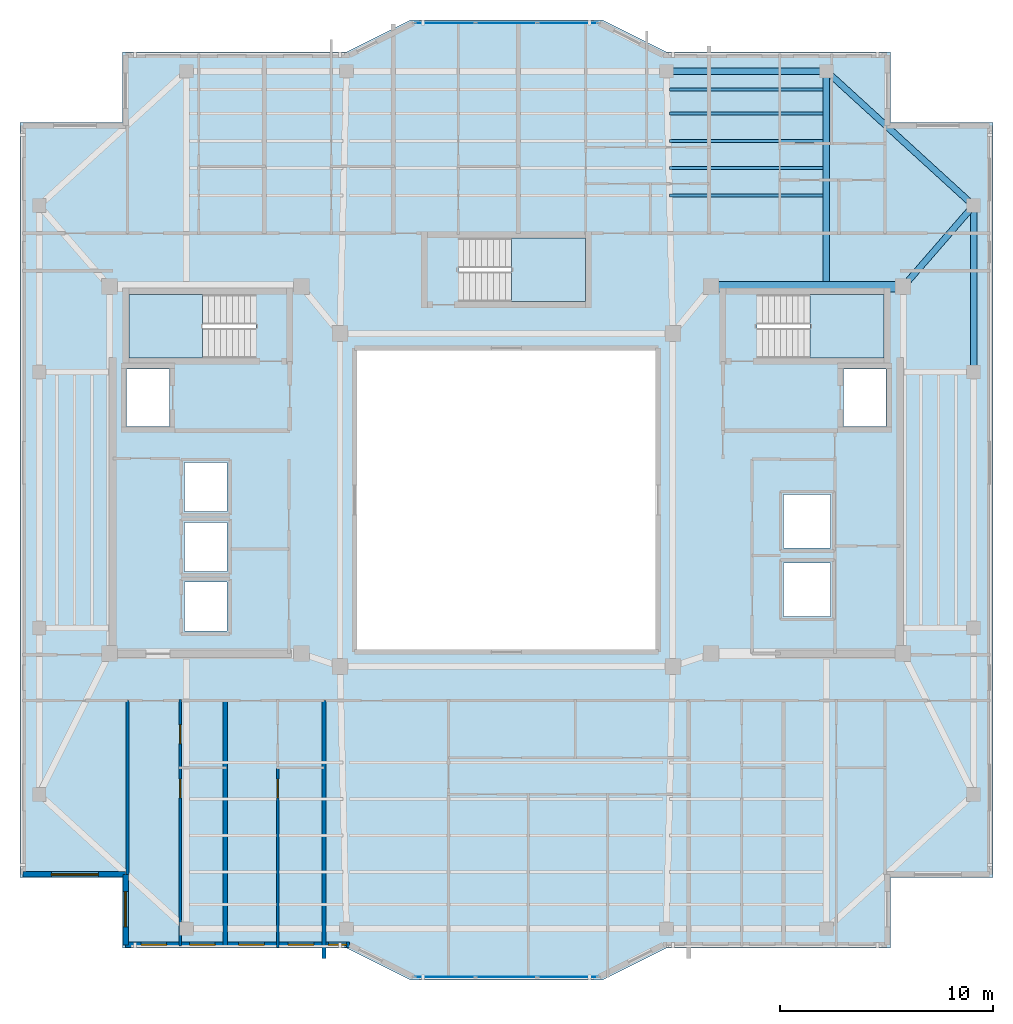
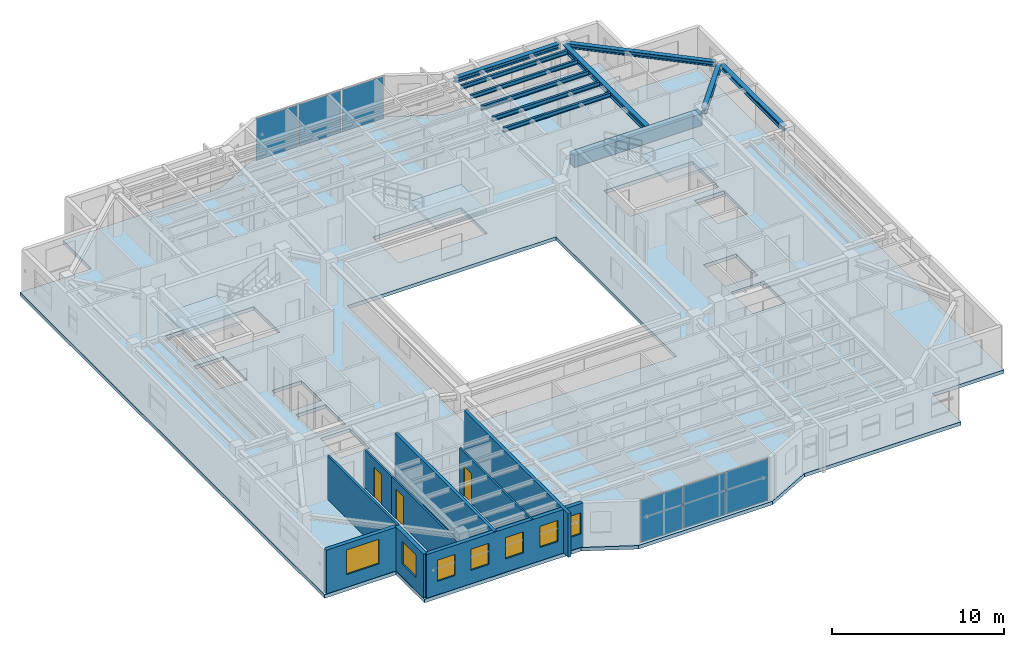
# One storey, part 5 of 14: 11 beams, 9 walls, 7 windows, 6 plates, 4 slabs, 3 doors, 10 openings, 5 elements without a shape of their own.
"""IFC4 building model written with IfcOpenShell, lengths in metres."""

from ifc_helpers import new_model, si_unit, direction, frame, frame_2d, origin, origin_2d, place, context, subcontext, project, spatial, polyline, rectangle, i_section, outline, extrude, material, layer, layer_set, material_profile, profile_set, type_object, element, fill, aggregate, save


model = new_model("IFC4")

# Units and contexts
model_context = context("Model", 3, precision=1e-05, world=origin(), true_north=direction((0.0, 1.0)))
body_context = subcontext(model_context, "Body", "Model", "MODEL_VIEW")
ifc_project = project(units=[si_unit("LENGTHUNIT", "METRE"), si_unit("AREAUNIT", "SQUARE_METRE"), si_unit("VOLUMEUNIT", "CUBIC_METRE"), si_unit("PLANEANGLEUNIT", "RADIAN"), si_unit("MASSUNIT", "GRAM", prefix="KILO")], contexts=[model_context])

# Site, building, storey
site_placement = place(None, origin())
site = spatial("IfcSite", under=ifc_project, at=site_placement, CompositionType="ELEMENT")
building_placement = place(site_placement, origin())
building = spatial("IfcBuilding", under=site, at=building_placement, Name="Tarnavaz Court Tower", CompositionType="ELEMENT")
storey_placement = place(building_placement, frame((0.0, 0.0, 261.60009765625)))
storey = spatial("IfcBuildingStorey", under=building, at=storey_placement, Name="L71", CompositionType="ELEMENT", Elevation=261.60009765625)

# Beams
ifc_material_1 = material(Name="Concrete C50/60", Category="concrete")
ifc_material_profile_1 = material_profile(ifc_material_1, rectangle(XDim=0.5, YDim=0.85009765625, at=origin_2d()), Name="RC 500X850")
ifc_profile_set_1 = profile_set([ifc_material_profile_1], Name="Concrete C50/60")
beam_type_1 = type_object("IfcBeamType", Name="BM-CB850", PredefinedType="LINTEL", material=ifc_profile_set_1)
beam_1_placement = place(storey_placement, frame((18.3798828125, 10.0, 2.6748046875), z_axis=(-1.0, 0.0, 0.0), x_axis=(0.0, -1.0, 0.0)))
element("IfcBeam", 1, at=beam_1_placement, inside=storey, type_object=beam_type_1, Name="L71 Beam IN-CE-NO-CE-NI", PredefinedType="LINTEL", context=body_context, shape_type="SweptSolid", body=[
    extrude(rectangle(XDim=0.5, YDim=0.85009765625, at=origin_2d()), origin(), (0.0, 0.0, 1.0), 8.559814453125),
])
ifc_material_2 = material(Name="Steel S355", Category="steel")
ifc_material_profile_2 = material_profile(ifc_material_2, i_section(OverallWidth=0.300048828125, OverallDepth=0.39990234375, WebThickness=0.013427734375, FlangeThickness=0.02392578125, FilletRadius=0.027099609375, at=origin_2d()), Name="HEB 400")
ifc_profile_set_2 = profile_set([ifc_material_profile_2], Name="Steel S355")
beam_type_2 = type_object("IfcBeamType", Name="BM-G-HEB400", PredefinedType="USERDEFINED", material=ifc_profile_set_2)
beam_2_placement = place(storey_placement, frame((15.0, 10.0400390625, 2.89990234375), z_axis=(0.0, 1.0, 0.0), x_axis=(-1.0, 0.0, 0.0)))
element("IfcBeam", 2, at=beam_2_placement, inside=storey, type_object=beam_type_2, Name="L71 Beam RG-04", ObjectType="GIRDER", PredefinedType="USERDEFINED", context=body_context, shape_type="SweptSolid", body=[
    extrude(i_section(OverallWidth=0.300048828125, OverallDepth=0.39990234375, WebThickness=0.013427734375, FlangeThickness=0.02392578125, FilletRadius=0.027099609375, at=origin_2d()), origin(), (0.0, 0.0, 1.0), 9.83984375),
])
beam_3_placement = place(storey_placement, frame((18.744384765625, 10.166015625, 2.89990234375), z_axis=(0.65565475567, 0.755060819648, 0.0), x_axis=(-0.755060819648, 0.65565475567, 0.0)))
element("IfcBeam", 3, at=beam_3_placement, inside=storey, type_object=beam_type_2, Name="L71 Beam RG-12", ObjectType="GIRDER", PredefinedType="USERDEFINED", context=body_context, shape_type="SweptSolid", body=[
    extrude(i_section(OverallWidth=0.300048828125, OverallDepth=0.39990234375, WebThickness=0.013427734375, FlangeThickness=0.02392578125, FilletRadius=0.027099609375, at=origin_2d()), origin(), (0.0, 0.0, 1.0), 4.5927734375),
])
ifc_material_profile_3 = material_profile(ifc_material_2, i_section(OverallWidth=0.14990234375, OverallDepth=0.300048828125, WebThickness=0.007080078125, FlangeThickness=0.0107421875, FilletRadius=0.014892578125, at=origin_2d()), Name="IPE 300")
ifc_profile_set_3 = profile_set([ifc_material_profile_3], Name="Steel S355")
beam_type_3 = type_object("IfcBeamType", Name="BM-J-IPE300", PredefinedType="JOIST", material=ifc_profile_set_3)
for number, where, z_axis, x_axis, name in (
    (4, (7.64990234375, 14.278076171875, 2.949951171875), (1.0, 0.0, 0.0), (0.0, 1.0, 0.0), "L71 Beam JN1-3"),
    (5, (7.64990234375, 15.555908203125, 2.949951171875), (1.0, 0.0, 0.0), (0.0, 1.0, 0.0), "L71 Beam JN2-3"),
    (6, (7.64990234375, 16.833984375, 2.949951171875), (1.0, 0.0, 0.0), (0.0, 1.0, 0.0), "L71 Beam JN3-3"),
    (7, (7.64990234375, 18.112060546875, 2.949951171875), (1.0, 0.0, 0.0), (0.0, 1.0, 0.0), "L71 Beam JN4-3"),
    (8, (7.64990234375, 19.248046875, 2.949951171875), (1.0, 0.0, 0.0), (0.0, 1.0, 0.0), "L71 Beam JN5-3"),
):
    element("IfcBeam", number, at=place(storey_placement, frame(where, z_axis=z_axis, x_axis=x_axis)), inside=storey, type_object=beam_type_3, Name=name, PredefinedType="JOIST", context=body_context, shape_type="SweptSolid", body=[
        extrude(i_section(OverallWidth=0.14990234375, OverallDepth=0.300048828125, WebThickness=0.007080078125, FlangeThickness=0.0107421875, FilletRadius=0.014892578125, at=origin_2d()), origin(), (0.0, 0.0, 1.0), 7.2001953125),
    ])
ifc_material_profile_4 = material_profile(ifc_material_2, i_section(OverallWidth=0.300048828125, OverallDepth=0.330078125, WebThickness=0.009521484375, FlangeThickness=0.0166015625, FilletRadius=0.027099609375, at=origin_2d()), Name="HEA 340")
ifc_profile_set_4 = profile_set([ifc_material_profile_4], Name="Steel S355")
beam_type_4 = type_object("IfcBeamType", Name="BM-SP-HEA340", PredefinedType="BEAM", material=ifc_profile_set_4)
beam_4_placement = place(storey_placement, frame((7.719970703125, 20.10009765625, 2.934814453125), z_axis=(1.0, 0.0, 0.0), x_axis=(0.0, 1.0, 0.0)))
element("IfcBeam", 9, at=beam_4_placement, inside=storey, type_object=beam_type_4, Name="L71 Beam PR-PN-3-PN-4", PredefinedType="BEAM", context=body_context, shape_type="SweptSolid", body=[
    extrude(i_section(OverallWidth=0.300048828125, OverallDepth=0.330078125, WebThickness=0.009521484375, FlangeThickness=0.0166015625, FilletRadius=0.027099609375, at=origin_2d()), origin(), (0.0, 0.0, 1.0), 7.06005859375),
])
beam_5_placement = place(storey_placement, frame((21.89990234375, 6.219970703125, 2.934814453125), z_axis=(0.0, 1.0, 0.0), x_axis=(-1.0, 0.0, 0.0)))
element("IfcBeam", 10, at=beam_5_placement, inside=storey, type_object=beam_type_4, Name="L71 Beam PR-PE-3-PE-4", PredefinedType="BEAM", context=body_context, shape_type="SweptSolid", body=[
    extrude(i_section(OverallWidth=0.300048828125, OverallDepth=0.330078125, WebThickness=0.009521484375, FlangeThickness=0.0166015625, FilletRadius=0.027099609375, at=origin_2d()), origin(), (0.0, 0.0, 1.0), 7.360107421875),
])
beam_6_placement = place(storey_placement, frame((15.16259765625, 19.95166015625, 2.934814453125), z_axis=(0.738474214476, -0.674281717499, 0.0), x_axis=(0.674281717499, 0.738474214476, 0.0)))
element("IfcBeam", 11, at=beam_6_placement, inside=storey, type_object=beam_type_4, Name="L71 Beam PR-PN-4-PE-4", PredefinedType="BEAM", context=body_context, shape_type="SweptSolid", body=[
    extrude(i_section(OverallWidth=0.300048828125, OverallDepth=0.330078125, WebThickness=0.009521484375, FlangeThickness=0.0166015625, FilletRadius=0.027099609375, at=origin_2d()), origin(), (0.0, 0.0, 1.0), 8.9033203125),
])

# Curtain wall, plates
ifc_material_3 = material(Name="Anodised Aluminium 6063-T6 and Solar Low-E Glazing", Category="aluminium")
ifc_layer_1 = layer(ifc_material_3, 0.159912109375)
ifc_layer_set_1 = layer_set([ifc_layer_1], Name="Anodised Aluminium 6063-T6 and Solar Low-E Glazing")
curtain_wall_type = type_object("IfcCurtainWallType", Name="CW-SYS-03", PredefinedType="NOTDEFINED", material=ifc_layer_set_1)
curtain_wall_1_placement = place(storey_placement, origin())
curtain_wall_1 = element("IfcCurtainWall", 12, at=curtain_wall_1_placement, inside=storey, type_object=curtain_wall_type, Name="L71 Iwan Prow Curtain Wall 7", PredefinedType="NOTDEFINED")
ifc_material_4 = material(Name="Double-Glazed Solar Low-E Glass", Category="glass")
ifc_layer_2 = layer(ifc_material_4, 0.028076171875)
ifc_layer_set_2 = layer_set([ifc_layer_2], Name="Double-Glazed Solar Low-E Glass")
plate_type = type_object("IfcPlateType", Name="CW-PAN-GLZ28", PredefinedType="CURTAIN_PANEL", material=ifc_layer_set_2)
plate_1_placement = place(storey_placement, frame((-2.88134765625, 22.35009765625, 0.06494140625), z_axis=(0.0, 0.0, 1.0), x_axis=(1.0, 0.0, 0.0)))
plate_1 = element("IfcPlate", 13, at=plate_1_placement, type_object=plate_type, Name="CW panel 1.1", PredefinedType="CURTAIN_PANEL", context=body_context, shape_type="SweptSolid", body=[
    extrude(rectangle(XDim=2.78759765625, YDim=0.028076171875, at=origin_2d()), origin(), (0.0, 0.0, 1.0), 2.969970703125),
])
plate_2_placement = place(storey_placement, frame((0.0, 22.35009765625, 0.06494140625), z_axis=(0.0, 0.0, 1.0), x_axis=(1.0, 0.0, 0.0)))
plate_2 = element("IfcPlate", 14, at=plate_2_placement, type_object=plate_type, Name="CW panel 2.1", PredefinedType="CURTAIN_PANEL", context=body_context, shape_type="SweptSolid", body=[
    extrude(rectangle(XDim=2.824951171875, YDim=0.028076171875, at=origin_2d()), origin(), (0.0, 0.0, 1.0), 2.969970703125),
])
plate_3_placement = place(storey_placement, frame((2.88134765625, 22.35009765625, 0.06494140625), z_axis=(0.0, 0.0, 1.0), x_axis=(1.0, 0.0, 0.0)))
plate_3 = element("IfcPlate", 15, at=plate_3_placement, type_object=plate_type, Name="CW panel 3.1", PredefinedType="CURTAIN_PANEL", context=body_context, shape_type="SweptSolid", body=[
    extrude(rectangle(XDim=2.78759765625, YDim=0.028076171875, at=origin_2d()), origin(), (0.0, 0.0, 1.0), 2.969970703125),
])
aggregate(curtain_wall_1, [plate_1, plate_2, plate_3])

curtain_wall_2_placement = place(storey_placement, origin())
curtain_wall_2 = element("IfcCurtainWall", 16, at=curtain_wall_2_placement, inside=storey, type_object=curtain_wall_type, Name="L71 Iwan Prow Curtain Wall 17", PredefinedType="NOTDEFINED")
plate_4_placement = place(storey_placement, frame((2.88134765625, -22.35009765625, 0.06494140625), z_axis=(0.0, 0.0, 1.0), x_axis=(-1.0, 0.0, 0.0)))
plate_4 = element("IfcPlate", 17, at=plate_4_placement, type_object=plate_type, Name="CW panel 1.1", PredefinedType="CURTAIN_PANEL", context=body_context, shape_type="SweptSolid", body=[
    extrude(rectangle(XDim=2.78759765625, YDim=0.028076171875, at=origin_2d()), origin(), (0.0, 0.0, 1.0), 2.969970703125),
])
plate_5_placement = place(storey_placement, frame((0.0, -22.35009765625, 0.06494140625), z_axis=(0.0, 0.0, 1.0), x_axis=(-1.0, 0.0, 0.0)))
plate_5 = element("IfcPlate", 18, at=plate_5_placement, type_object=plate_type, Name="CW panel 2.1", PredefinedType="CURTAIN_PANEL", context=body_context, shape_type="SweptSolid", body=[
    extrude(rectangle(XDim=2.824951171875, YDim=0.028076171875, at=origin_2d()), origin(), (0.0, 0.0, 1.0), 2.969970703125),
])
plate_6_placement = place(storey_placement, frame((-2.88134765625, -22.35009765625, 0.06494140625), z_axis=(0.0, 0.0, 1.0), x_axis=(-1.0, 0.0, 0.0)))
plate_6 = element("IfcPlate", 19, at=plate_6_placement, type_object=plate_type, Name="CW panel 3.1", PredefinedType="CURTAIN_PANEL", context=body_context, shape_type="SweptSolid", body=[
    extrude(rectangle(XDim=2.78759765625, YDim=0.028076171875, at=origin_2d()), origin(), (0.0, 0.0, 1.0), 2.969970703125),
])
aggregate(curtain_wall_2, [plate_4, plate_5, plate_6])

# Stair, slab
ifc_material_5 = material(Name="Concrete C40/50", Category="concrete")
stair_type = type_object("IfcStairType", Name="ST-TWR-20R", PredefinedType="HALF_TURN_STAIR", material=ifc_material_5)
stair_1_placement = place(storey_placement, origin())
stair_1 = element("IfcStair", 20, at=stair_1_placement, inside=storey, type_object=stair_type, Name="L71 West Core Pressurized Exit Stair ST-W1", PredefinedType="HALF_TURN_STAIR")
ifc_layer_3 = layer(ifc_material_5, 0.199951171875)
ifc_layer_set_3 = layer_set([ifc_layer_3], Name="Concrete C40/50")
slab_type_1 = type_object("IfcSlabType", Name="SL-LAND-200", PredefinedType="LANDING", material=ifc_layer_set_3)
slab_1_placement = place(storey_placement, frame((0.0, 0.0, 1.474853515625)))
slab_1 = element("IfcSlab", 21, at=slab_1_placement, type_object=slab_type_1, Name="ST-W1 landing 1", PredefinedType="LANDING", context=body_context, shape_type="SweptSolid", body=[
    extrude(outline(polyline([(-14.239990234375, 9.639892578125), (-17.699951171875, 9.639892578125), (-17.699951171875, 6.64990234375), (-14.239990234375, 6.64990234375), (-14.239990234375, 9.639892578125)])), origin(), (0.0, 0.0, 1.0), 0.199951171875),
])
aggregate(stair_1, [slab_1])

stair_2_placement = place(storey_placement, origin())
stair_2 = element("IfcStair", 22, at=stair_2_placement, inside=storey, type_object=stair_type, Name="L71 East Core Pressurized Exit Stair ST-E1", PredefinedType="HALF_TURN_STAIR")
slab_2_placement = place(storey_placement, frame((0.0, 0.0, 1.474853515625)))
slab_2 = element("IfcSlab", 23, at=slab_2_placement, type_object=slab_type_1, Name="ST-E1 landing 1", PredefinedType="LANDING", context=body_context, shape_type="SweptSolid", body=[
    extrude(outline(polyline([(14.239990234375, 6.64990234375), (17.699951171875, 6.64990234375), (17.699951171875, 9.639892578125), (14.239990234375, 9.639892578125), (14.239990234375, 6.64990234375)])), origin(), (0.0, 0.0, 1.0), 0.199951171875),
])
aggregate(stair_2, [slab_2])

stair_3_placement = place(storey_placement, origin())
stair_3 = element("IfcStair", 24, at=stair_3_placement, inside=storey, type_object=stair_type, Name="L71 North Ring Pressurized Exit Stair ST-N1", PredefinedType="HALF_TURN_STAIR")
slab_3_placement = place(storey_placement, frame((0.0, 0.0, 1.474853515625)))
slab_3 = element("IfcSlab", 25, at=slab_3_placement, type_object=slab_type_1, Name="ST-N1 landing 1", PredefinedType="LANDING", context=body_context, shape_type="SweptSolid", body=[
    extrude(outline(polyline([(0.239990234375, 9.300048828125), (3.699951171875, 9.300048828125), (3.699951171875, 12.2900390625), (0.239990234375, 12.2900390625), (0.239990234375, 9.300048828125)])), origin(), (0.0, 0.0, 1.0), 0.199951171875),
])
aggregate(stair_3, [slab_3])

# Slab
ifc_layer_4 = layer(ifc_material_5, 0.25)
ifc_layer_set_4 = layer_set([ifc_layer_4], Name="Concrete C40/50")
slab_type_2 = type_object("IfcSlabType", Name="SL-RES-250", PredefinedType="FLOOR", material=ifc_layer_set_4)
slab_4_placement = place(storey_placement, frame((0.0, 0.0, -0.25)))
element("IfcSlab", 26, at=slab_4_placement, inside=storey, type_object=slab_type_2, Name="L71 Structural Floor Slab", PredefinedType="FLOOR", context=body_context, shape_type="SweptSolid", body=[
    extrude(outline(polyline([(-18.0, -21.0), (-7.5, -21.0), (-4.5, -22.5), (4.5, -22.5), (7.5, -21.0), (18.0, -21.0), (18.0, -17.699951171875), (22.800048828125, -17.699951171875), (22.800048828125, 17.699951171875), (18.0, 17.699951171875), (18.0, 21.0), (7.5, 21.0), (4.5, 22.5), (-4.5, 22.5), (-7.5, 21.0), (-18.0, 21.0), (-18.0, 17.699951171875), (-22.800048828125, 17.699951171875), (-22.800048828125, -17.699951171875), (-18.0, -17.699951171875), (-18.0, -21.0)]), holes=[polyline([(-7.0, -7.0), (7.0, -7.0), (7.0, 7.0), (-7.0, 7.0), (-7.0, -7.0)]), polyline([(-11.7451171875, 9.639892578125), (-17.699951171875, 9.639892578125), (-17.699951171875, 6.64990234375), (-11.7451171875, 6.64990234375), (-11.7451171875, 9.639892578125)]), polyline([(11.7451171875, 6.64990234375), (17.699951171875, 6.64990234375), (17.699951171875, 9.639892578125), (11.7451171875, 9.639892578125), (11.7451171875, 6.64990234375)]), polyline([(-2.2548828125, 9.300048828125), (3.699951171875, 9.300048828125), (3.699951171875, 12.2900390625), (-2.2548828125, 12.2900390625), (-2.2548828125, 9.300048828125)]), polyline([(-17.800048828125, 3.449951171875), (-15.800048828125, 3.449951171875), (-15.800048828125, 6.14990234375), (-17.800048828125, 6.14990234375), (-17.800048828125, 3.449951171875)]), polyline([(-15.10009765625, -6.14990234375), (-13.10009765625, -6.14990234375), (-13.10009765625, -3.85009765625), (-15.10009765625, -3.85009765625), (-15.10009765625, -6.14990234375)]), polyline([(-15.10009765625, -3.35009765625), (-13.10009765625, -3.35009765625), (-13.10009765625, -1.050048828125), (-15.10009765625, -1.050048828125), (-15.10009765625, -3.35009765625)]), polyline([(-15.10009765625, -0.550048828125), (-13.10009765625, -0.550048828125), (-13.10009765625, 1.75), (-15.10009765625, 1.75), (-15.10009765625, -0.550048828125)]), polyline([(15.800048828125, 3.449951171875), (17.800048828125, 3.449951171875), (17.800048828125, 6.14990234375), (15.800048828125, 6.14990234375), (15.800048828125, 3.449951171875)]), polyline([(13.0, -5.449951171875), (15.199951171875, -5.449951171875), (15.199951171875, -2.949951171875), (13.0, -2.949951171875), (13.0, -5.449951171875)]), polyline([(13.0, -2.25), (15.199951171875, -2.25), (15.199951171875, 0.25), (13.0, 0.25), (13.0, -2.25)])]), origin(), (0.0, 0.0, 1.0), 0.25),
])

# Wall, opening, window
ifc_material_6 = material(Name="Precast Concrete C40/50", Category="concrete")
ifc_layer_5 = layer(ifc_material_6, 0.260009765625)
ifc_layer_set_5 = layer_set([ifc_layer_5], Name="Precast Concrete C40/50")
wall_type_1 = type_object("IfcWallType", Name="WL-EXT-260", PredefinedType="SOLIDWALL", material=ifc_layer_set_5)
wall_1_placement = place(storey_placement, frame((-17.85009765625, -17.550048828125, 0.0), z_axis=(0.0, 0.0, 1.0), x_axis=(-1.0, 0.0, 0.0)))
wall_1 = element("IfcWall", 27, at=wall_1_placement, inside=storey, type_object=wall_type_1, Name="L71 Exterior Terracotta Facade Wall 01", PredefinedType="SOLIDWALL", context=body_context, shape_type="SweptSolid", body=[
    extrude(rectangle(XDim=4.7998046875, YDim=0.260009765625, at=frame_2d((2.39990234375, 0.0))), origin(), (0.0, 0.0, 1.0), 3.099853515625),
])
opening_1_placement = place(wall_1_placement, frame((1.274658203125, 0.0, 0.89990234375)))
opening_1 = element("IfcOpeningElement", 28, at=opening_1_placement, cuts=wall_1, Name="Opening W07", PredefinedType="OPENING", context=body_context, shape_type="SweptSolid", body=[
    extrude(rectangle(XDim=2.199951171875, YDim=1.75, at=frame_2d((1.10009765625, 0.875))), frame((0.0, 0.139892578125, 0.0), z_axis=(0.0, -1.0, 0.0), x_axis=(1.0, 0.0, 0.0)), (0.0, 0.0, 1.0), 0.280029296875),
])
window_type_1 = type_object("IfcWindowType", Name="WN-APT-2200", PartitioningType="TRIPLE_PANEL_VERTICAL", PredefinedType="WINDOW", material=ifc_material_4)
window_1_placement = place(opening_1_placement, origin())
window_1 = element("IfcWindow", 29, at=window_1_placement, inside=storey, type_object=window_type_1, Name="L71 South-West Corner Reading Room Window", OverallHeight=1.75, OverallWidth=2.199951171875, PartitioningType="SINGLE_PANEL", PredefinedType="WINDOW", context=body_context, shape_type="SweptSolid", body=[
    extrude(rectangle(XDim=2.199951171875, YDim=1.75, at=frame_2d((1.10009765625, 0.875))), frame((0.0, 0.030029296875, 0.0), z_axis=(0.0, -1.0, 0.0), x_axis=(1.0, 0.0, 0.0)), (0.0, 0.0, 1.0), 0.06005859375),
])
fill(opening_1, window_1)

# Wall, openings, windows
wall_2_placement = place(storey_placement, frame((-7.35009765625, -20.85009765625, 0.0), z_axis=(0.0, 0.0, 1.0), x_axis=(-1.0, 0.0, 0.0)))
wall_2 = element("IfcWall", 30, at=wall_2_placement, inside=storey, type_object=wall_type_1, Name="L71 Exterior Terracotta Facade Wall 19", PredefinedType="SOLIDWALL", context=body_context, shape_type="SweptSolid", body=[
    extrude(rectangle(XDim=10.5, YDim=0.260009765625, at=frame_2d((5.25, 0.0))), origin(), (0.0, 0.0, 1.0), 3.099853515625),
])
opening_2_placement = place(wall_2_placement, frame((0.14501953125, 0.0, 0.949951171875)))
opening_2 = element("IfcOpeningElement", 31, at=opening_2_placement, cuts=wall_2, Name="Opening W15", PredefinedType="OPENING", context=body_context, shape_type="SweptSolid", body=[
    extrude(rectangle(XDim=0.85009765625, YDim=1.5, at=frame_2d((0.425048828125, 0.75))), frame((0.0, 0.139892578125, 0.0), z_axis=(0.0, -1.0, 0.0), x_axis=(1.0, 0.0, 0.0)), (0.0, 0.0, 1.0), 0.280029296875),
])
opening_3_placement = place(wall_2_placement, frame((1.677490234375, 0.0, 0.949951171875)))
opening_3 = element("IfcOpeningElement", 32, at=opening_3_placement, cuts=wall_2, Name="Opening W05", PredefinedType="OPENING", context=body_context, shape_type="SweptSolid", body=[
    extrude(rectangle(XDim=1.199951171875, YDim=1.5, at=frame_2d((0.60009765625, 0.75))), frame((0.0, 0.139892578125, 0.0), z_axis=(0.0, -1.0, 0.0), x_axis=(1.0, 0.0, 0.0)), (0.0, 0.0, 1.0), 0.280029296875),
])
opening_4_placement = place(wall_2_placement, frame((4.0, 0.0, 0.949951171875)))
opening_4 = element("IfcOpeningElement", 33, at=opening_4_placement, cuts=wall_2, Name="Opening W05", PredefinedType="OPENING", context=body_context, shape_type="SweptSolid", body=[
    extrude(rectangle(XDim=1.199951171875, YDim=1.5, at=frame_2d((0.60009765625, 0.75))), frame((0.0, 0.139892578125, 0.0), z_axis=(0.0, -1.0, 0.0), x_axis=(1.0, 0.0, 0.0)), (0.0, 0.0, 1.0), 0.280029296875),
])
opening_5_placement = place(wall_2_placement, frame((6.302490234375, 0.0, 0.949951171875)))
opening_5 = element("IfcOpeningElement", 34, at=opening_5_placement, cuts=wall_2, Name="Opening W05", PredefinedType="OPENING", context=body_context, shape_type="SweptSolid", body=[
    extrude(rectangle(XDim=1.199951171875, YDim=1.5, at=frame_2d((0.60009765625, 0.75))), frame((0.0, 0.139892578125, 0.0), z_axis=(0.0, -1.0, 0.0), x_axis=(1.0, 0.0, 0.0)), (0.0, 0.0, 1.0), 0.280029296875),
])
opening_6_placement = place(wall_2_placement, frame((8.574951171875, 0.0, 0.949951171875)))
opening_6 = element("IfcOpeningElement", 35, at=opening_6_placement, cuts=wall_2, Name="Opening W05", PredefinedType="OPENING", context=body_context, shape_type="SweptSolid", body=[
    extrude(rectangle(XDim=1.199951171875, YDim=1.5, at=frame_2d((0.60009765625, 0.75))), frame((0.0, 0.139892578125, 0.0), z_axis=(0.0, -1.0, 0.0), x_axis=(1.0, 0.0, 0.0)), (0.0, 0.0, 1.0), 0.280029296875),
])
window_type_2 = type_object("IfcWindowType", Name="WN-APT-1200", PartitioningType="SINGLE_PANEL", PredefinedType="WINDOW", material=ifc_material_4)
window_2_placement = place(opening_3_placement, origin())
window_2 = element("IfcWindow", 36, at=window_2_placement, inside=storey, type_object=window_type_2, Name="L71 Flat 07 Kitchen Window", OverallHeight=1.5, OverallWidth=1.199951171875, PartitioningType="SINGLE_PANEL", PredefinedType="WINDOW", context=body_context, shape_type="SweptSolid", body=[
    extrude(rectangle(XDim=1.199951171875, YDim=1.5, at=frame_2d((0.60009765625, 0.75))), frame((0.0, 0.030029296875, 0.0), z_axis=(0.0, -1.0, 0.0), x_axis=(1.0, 0.0, 0.0)), (0.0, 0.0, 1.0), 0.06005859375),
])
fill(opening_3, window_2)
window_3_placement = place(opening_4_placement, origin())
window_3 = element("IfcWindow", 37, at=window_3_placement, inside=storey, type_object=window_type_2, Name="L71 Flat 07 Studio Living and Sleeping Room Window", OverallHeight=1.5, OverallWidth=1.199951171875, PartitioningType="SINGLE_PANEL", PredefinedType="WINDOW", context=body_context, shape_type="SweptSolid", body=[
    extrude(rectangle(XDim=1.199951171875, YDim=1.5, at=frame_2d((0.60009765625, 0.75))), frame((0.0, 0.030029296875, 0.0), z_axis=(0.0, -1.0, 0.0), x_axis=(1.0, 0.0, 0.0)), (0.0, 0.0, 1.0), 0.06005859375),
])
fill(opening_4, window_3)
window_4_placement = place(opening_5_placement, origin())
window_4 = element("IfcWindow", 38, at=window_4_placement, inside=storey, type_object=window_type_2, Name="L71 Flat 06 Kitchen Window", OverallHeight=1.5, OverallWidth=1.199951171875, PartitioningType="SINGLE_PANEL", PredefinedType="WINDOW", context=body_context, shape_type="SweptSolid", body=[
    extrude(rectangle(XDim=1.199951171875, YDim=1.5, at=frame_2d((0.60009765625, 0.75))), frame((0.0, 0.030029296875, 0.0), z_axis=(0.0, -1.0, 0.0), x_axis=(1.0, 0.0, 0.0)), (0.0, 0.0, 1.0), 0.06005859375),
])
fill(opening_5, window_4)
window_5_placement = place(opening_6_placement, origin())
window_5 = element("IfcWindow", 39, at=window_5_placement, inside=storey, type_object=window_type_2, Name="L71 Flat 06 Studio Living and Sleeping Room Window", OverallHeight=1.5, OverallWidth=1.199951171875, PartitioningType="SINGLE_PANEL", PredefinedType="WINDOW", context=body_context, shape_type="SweptSolid", body=[
    extrude(rectangle(XDim=1.199951171875, YDim=1.5, at=frame_2d((0.60009765625, 0.75))), frame((0.0, 0.030029296875, 0.0), z_axis=(0.0, -1.0, 0.0), x_axis=(1.0, 0.0, 0.0)), (0.0, 0.0, 1.0), 0.06005859375),
])
fill(opening_6, window_5)
window_type_3 = type_object("IfcWindowType", Name="WN-APT-850", PartitioningType="SINGLE_PANEL", PredefinedType="WINDOW", material=ifc_material_4)
window_6_placement = place(opening_2_placement, origin())
window_6 = element("IfcWindow", 40, at=window_6_placement, inside=storey, type_object=window_type_3, Name="L71 Flat 10 Living and Dining Room Window", OverallHeight=1.5, OverallWidth=0.85009765625, PartitioningType="SINGLE_PANEL", PredefinedType="WINDOW", context=body_context, shape_type="SweptSolid", body=[
    extrude(rectangle(XDim=0.85009765625, YDim=1.5, at=frame_2d((0.425048828125, 0.75))), frame((0.0, 0.030029296875, 0.0), z_axis=(0.0, -1.0, 0.0), x_axis=(1.0, 0.0, 0.0)), (0.0, 0.0, 1.0), 0.06005859375),
])
fill(opening_2, window_6)

# Wall, opening, window
wall_3_placement = place(storey_placement, frame((-17.85009765625, -20.85009765625, 0.0), z_axis=(0.0, 0.0, 1.0), x_axis=(0.0, 1.0, 0.0)))
wall_3 = element("IfcWall", 41, at=wall_3_placement, inside=storey, type_object=wall_type_1, Name="L71 Exterior Terracotta Facade Wall 20", PredefinedType="SOLIDWALL", context=body_context, shape_type="SweptSolid", body=[
    extrude(rectangle(XDim=3.300048828125, YDim=0.260009765625, at=frame_2d((1.64990234375, 0.0))), origin(), (0.0, 0.0, 1.0), 3.099853515625),
])
opening_7_placement = place(wall_3_placement, frame((0.842529296875, 0.0, 0.89990234375)))
opening_7 = element("IfcOpeningElement", 42, at=opening_7_placement, cuts=wall_3, Name="Opening W02", PredefinedType="OPENING", context=body_context, shape_type="SweptSolid", body=[
    extrude(rectangle(XDim=1.64990234375, YDim=1.60009765625, at=frame_2d((0.824951171875, 0.800048828125))), frame((0.0, 0.139892578125, 0.0), z_axis=(0.0, -1.0, 0.0), x_axis=(1.0, 0.0, 0.0)), (0.0, 0.0, 1.0), 0.280029296875),
])
window_type_4 = type_object("IfcWindowType", Name="WN-APT-1650", PartitioningType="DOUBLE_PANEL_VERTICAL", PredefinedType="WINDOW", material=ifc_material_4)
window_7_placement = place(opening_7_placement, origin())
window_7 = element("IfcWindow", 43, at=window_7_placement, inside=storey, type_object=window_type_4, Name="L71 Flat 06 Studio Living and Sleeping Room Window", OverallHeight=1.60009765625, OverallWidth=1.64990234375, PartitioningType="SINGLE_PANEL", PredefinedType="WINDOW", context=body_context, shape_type="SweptSolid", body=[
    extrude(rectangle(XDim=1.64990234375, YDim=1.60009765625, at=frame_2d((0.824951171875, 0.800048828125))), frame((0.0, 0.030029296875, 0.0), z_axis=(0.0, -1.0, 0.0), x_axis=(1.0, 0.0, 0.0)), (0.0, 0.0, 1.0), 0.06005859375),
])
fill(opening_7, window_7)

# Walls
ifc_material_7 = material(Name="Autoclaved Aerated Concrete Blockwork", Category="masonry")
ifc_layer_6 = layer(ifc_material_7, 0.199951171875)
ifc_layer_set_6 = layer_set([ifc_layer_6], Name="Autoclaved Aerated Concrete Blockwork")
wall_type_2 = type_object("IfcWallType", Name="WL-FIRE-200", PredefinedType="SOLIDWALL", material=ifc_layer_set_6)
wall_4_placement = place(storey_placement, frame((-13.175048828125, -20.89990234375, 0.0), z_axis=(0.0, 0.0, 1.0), x_axis=(0.0, 1.0, 0.0)))
element("IfcWall", 44, at=wall_4_placement, inside=storey, type_object=wall_type_2, Name="L71 Party Wall 089", PredefinedType="SOLIDWALL", context=body_context, shape_type="SweptSolid", body=[
    extrude(rectangle(XDim=11.5, YDim=0.199951171875, at=frame_2d((5.75, 0.0))), origin(), (0.0, 0.0, 1.0), 3.099853515625),
])
wall_5_placement = place(storey_placement, frame((-8.550048828125, -21.50390625, 0.0), z_axis=(0.0, 0.0, 1.0), x_axis=(0.0, 1.0, 0.0)))
element("IfcWall", 45, at=wall_5_placement, inside=storey, type_object=wall_type_2, Name="L71 Party Wall 103", PredefinedType="SOLIDWALL", context=body_context, shape_type="SweptSolid", body=[
    extrude(rectangle(XDim=12.10400390625, YDim=0.199951171875, at=frame_2d((6.052001953125, 0.0))), origin(), (0.0, 0.0, 1.0), 3.099853515625),
])

# Wall, opening, door
ifc_material_8 = material(Name="Moisture-Resistant Gypsum Board Partition", Category="masonry")
ifc_layer_7 = layer(ifc_material_8, 0.1201171875)
ifc_layer_set_7 = layer_set([ifc_layer_7], Name="Moisture-Resistant Gypsum Board Partition")
wall_type_3 = type_object("IfcWallType", Name="WL-PART-120", PredefinedType="PARTITIONING", material=ifc_layer_set_7)
wall_6_placement = place(storey_placement, frame((-15.2900390625, -20.89990234375, 0.0), z_axis=(0.0, 0.0, 1.0), x_axis=(0.0, 1.0, 0.0)))
wall_6 = element("IfcWall", 46, at=wall_6_placement, inside=storey, type_object=wall_type_3, Name="L71 Interior Partition 090", PredefinedType="PARTITIONING", context=body_context, shape_type="SweptSolid", body=[
    extrude(rectangle(XDim=8.33984375, YDim=0.1201171875, at=frame_2d((4.169921875, 0.0))), origin(), (0.0, 0.0, 1.0), 2.684814453125),
])
opening_8_placement = place(wall_6_placement, frame((6.93994140625, 0.0, 0.0)))
opening_8 = element("IfcOpeningElement", 47, at=opening_8_placement, cuts=wall_6, Name="Opening D14", PredefinedType="OPENING", context=body_context, shape_type="SweptSolid", body=[
    extrude(rectangle(XDim=0.8798828125, YDim=2.10009765625, at=frame_2d((0.43994140625, 1.050048828125))), frame((0.0, 0.070068359375, 0.0), z_axis=(0.0, -1.0, 0.0), x_axis=(1.0, 0.0, 0.0)), (0.0, 0.0, 1.0), 0.14013671875),
])
ifc_material_9 = material(Name="Engineered Oak Timber", Category="wood")
door_type = type_object("IfcDoorType", Name="DR-INT-900", OperationType="NOTDEFINED", PredefinedType="DOOR", material=ifc_material_9)
door_1_placement = place(opening_8_placement, origin())
door_1 = element("IfcDoor", 48, at=door_1_placement, inside=storey, type_object=door_type, Name="L71 Flat 06 Kitchen Door", OperationType="SINGLE_SWING_RIGHT", OverallHeight=2.10009765625, OverallWidth=0.8798828125, PredefinedType="DOOR", context=body_context, shape_type="SweptSolid", body=[
    extrude(rectangle(XDim=0.8798828125, YDim=2.10009765625, at=frame_2d((0.43994140625, 1.050048828125))), frame((0.0, 0.02490234375, 0.0), z_axis=(0.0, -1.0, 0.0), x_axis=(1.0, 0.0, 0.0)), (0.0, 0.0, 1.0), 0.050048828125),
])
fill(opening_8, door_1)

wall_7_placement = place(storey_placement, frame((-15.2900390625, -12.56005859375, 0.0), z_axis=(0.0, 0.0, 1.0), x_axis=(0.0, 1.0, 0.0)))
wall_7 = element("IfcWall", 49, at=wall_7_placement, inside=storey, type_object=wall_type_3, Name="L71 Interior Partition 091", PredefinedType="PARTITIONING", context=body_context, shape_type="SweptSolid", body=[
    extrude(rectangle(XDim=3.219970703125, YDim=0.1201171875, at=frame_2d((1.60986328125, 0.0))), origin(), (0.0, 0.0, 1.0), 2.684814453125),
])
opening_9_placement = place(wall_7_placement, frame((1.139892578125, 0.0, 0.0)))
opening_9 = element("IfcOpeningElement", 50, at=opening_9_placement, cuts=wall_7, Name="Opening D14", PredefinedType="OPENING", context=body_context, shape_type="SweptSolid", body=[
    extrude(rectangle(XDim=0.8798828125, YDim=2.10009765625, at=frame_2d((0.43994140625, 1.050048828125))), frame((0.0, 0.070068359375, 0.0), z_axis=(0.0, -1.0, 0.0), x_axis=(1.0, 0.0, 0.0)), (0.0, 0.0, 1.0), 0.14013671875),
])
door_2_placement = place(opening_9_placement, origin())
door_2 = element("IfcDoor", 51, at=door_2_placement, inside=storey, type_object=door_type, Name="L71 Flat 06 Bathroom Door", OperationType="SINGLE_SWING_LEFT", OverallHeight=2.10009765625, OverallWidth=0.8798828125, PredefinedType="DOOR", context=body_context, shape_type="SweptSolid", body=[
    extrude(rectangle(XDim=0.8798828125, YDim=2.10009765625, at=frame_2d((0.43994140625, 1.050048828125))), frame((0.0, 0.02490234375, 0.0), z_axis=(0.0, -1.0, 0.0), x_axis=(1.0, 0.0, 0.0)), (0.0, 0.0, 1.0), 0.050048828125),
])
fill(opening_9, door_2)

wall_8_placement = place(storey_placement, frame((-10.715087890625, -20.969970703125, 0.0), z_axis=(0.0, 0.0, 1.0), x_axis=(0.0, 1.0, 0.0)))
wall_8 = element("IfcWall", 52, at=wall_8_placement, inside=storey, type_object=wall_type_3, Name="L71 Interior Partition 093", PredefinedType="PARTITIONING", context=body_context, shape_type="SweptSolid", body=[
    extrude(rectangle(XDim=8.409912109375, YDim=0.1201171875, at=frame_2d((4.205078125, 0.0))), origin(), (0.0, 0.0, 1.0), 3.099853515625),
])
opening_10_placement = place(wall_8_placement, frame((7.010009765625, 0.0, 0.0)))
opening_10 = element("IfcOpeningElement", 53, at=opening_10_placement, cuts=wall_8, Name="Opening D14", PredefinedType="OPENING", context=body_context, shape_type="SweptSolid", body=[
    extrude(rectangle(XDim=0.8798828125, YDim=2.10009765625, at=frame_2d((0.43994140625, 1.050048828125))), frame((0.0, 0.070068359375, 0.0), z_axis=(0.0, -1.0, 0.0), x_axis=(1.0, 0.0, 0.0)), (0.0, 0.0, 1.0), 0.14013671875),
])
door_3_placement = place(opening_10_placement, origin())
door_3 = element("IfcDoor", 54, at=door_3_placement, inside=storey, type_object=door_type, Name="L71 Flat 07 Kitchen Door", OperationType="SINGLE_SWING_LEFT", OverallHeight=2.10009765625, OverallWidth=0.8798828125, PredefinedType="DOOR", context=body_context, shape_type="SweptSolid", body=[
    extrude(rectangle(XDim=0.8798828125, YDim=2.10009765625, at=frame_2d((0.43994140625, 1.050048828125))), frame((0.0, 0.02490234375, 0.0), z_axis=(0.0, -1.0, 0.0), x_axis=(1.0, 0.0, 0.0)), (0.0, 0.0, 1.0), 0.050048828125),
])
fill(opening_10, door_3)

# Wall
ifc_material_10 = material(Name="Gypsum Plasterboard Acoustic Partition", Category="masonry")
ifc_layer_8 = layer(ifc_material_10, 0.139892578125)
ifc_layer_set_8 = layer_set([ifc_layer_8], Name="Gypsum Plasterboard Acoustic Partition")
wall_type_4 = type_object("IfcWallType", Name="WL-PART-150", PredefinedType="PARTITIONING", material=ifc_layer_set_8)
wall_9_placement = place(storey_placement, frame((-17.75, -17.550048828125, 0.0), z_axis=(0.0, 0.0, 1.0), x_axis=(0.0, 1.0, 0.0)))
element("IfcWall", 55, at=wall_9_placement, inside=storey, type_object=wall_type_4, Name="L71 Interior Partition 117", PredefinedType="PARTITIONING", context=body_context, shape_type="SweptSolid", body=[
    extrude(rectangle(XDim=8.150146484375, YDim=0.139892578125, at=frame_2d((4.0751953125, 0.0))), origin(), (0.0, 0.0, 1.0), 3.099853515625),
])

save(model, "model.ifc")
